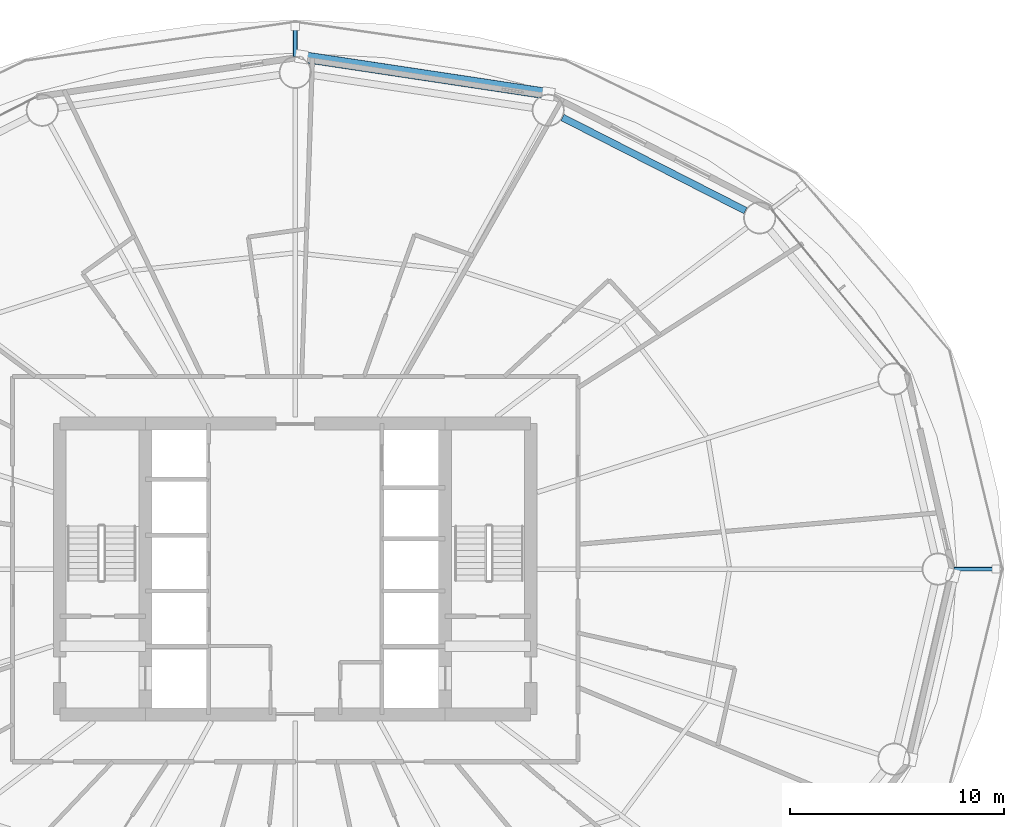
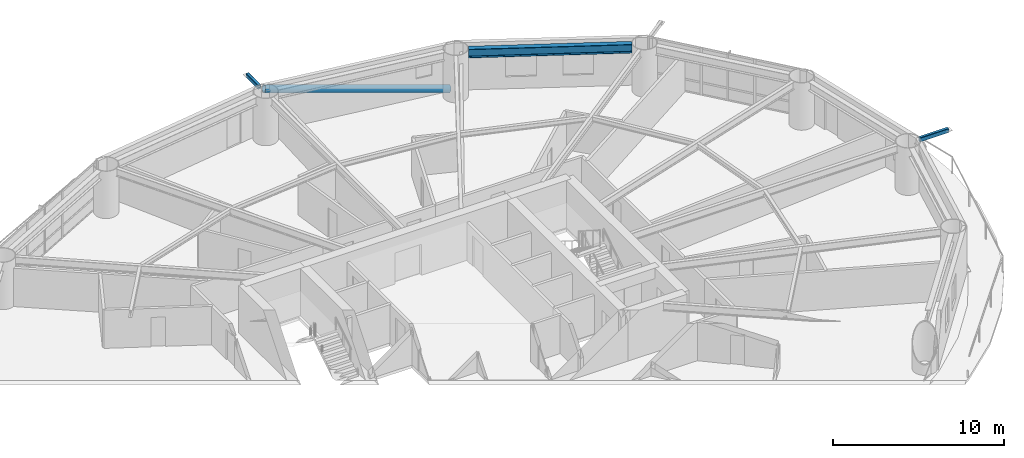
# One storey, part 15 of 28: 3 members, 1 beam.
"""IFC4 building model written with IfcOpenShell, lengths in metres."""

import ifcopenshell
import ifcopenshell.guid

model = None  # the IFC model being written
_history = None  # IfcOwnerHistory: only IFC2X3 demands one
_inside = {}  # id of a spatial element -> (the spatial element, [elements in it])
_under = {}  # id of a project, library or spatial element -> (it, [spatial elements below it])
_declared = {}  # id of a project -> (the project, [libraries it declares])
_typed = {}  # id of a type object -> (the type object, [elements of that type])
_made_of = {}  # id of a material, layer set ... -> (it, [elements and type objects made of it])


def new_model(schema):
    """Start an empty IFC model of exactly this schema.

    Asked for "IFC4X3", IfcOpenShell would pick the latest addendum, in which some entities
    have other attributes; the version numbers below select the first issue.
    IFC2X3 requires an IfcOwnerHistory on every rooted entity: one is made here for all.
    """
    global model, _history
    if schema == "IFC4X3":
        model = ifcopenshell.file(schema_version=(4, 3, 0, 0))
    else:
        model = ifcopenshell.file(schema=schema)
    _inside.clear()
    _under.clear()
    _declared.clear()
    _typed.clear()
    _made_of.clear()
    _history = None
    if model.schema == "IFC2X3":
        org = make("IfcOrganization", Name="unknown")
        user = make(
            "IfcPersonAndOrganization",
            ThePerson=make("IfcPerson", FamilyName="unknown"),
            TheOrganization=org,
        )
        app = make(
            "IfcApplication",
            ApplicationDeveloper=org,
            Version="unknown",
            ApplicationFullName="unknown",
            ApplicationIdentifier="unknown",
        )
        _history = make(
            "IfcOwnerHistory",
            OwningUser=user,
            OwningApplication=app,
            ChangeAction="ADDED",
            CreationDate=0,
        )
    return model


def make(cls, **values):
    """One entity of the class cls with the attributes given. An attribute that is None is left unset."""
    return model.create_entity(
        cls, **{name: value for name, value in values.items() if value is not None}
    )


def rooted(cls, **values):
    """An entity with a GlobalId (a new one), such as an element, a storey or a relation."""
    return make(cls, GlobalId=ifcopenshell.guid.new(), OwnerHistory=_history, **values)


def si_unit(unit_type, name, prefix=None):
    """IfcSIUnit, for example si_unit("LENGTHUNIT", "METRE", prefix="MILLI")."""
    return make("IfcSIUnit", UnitType=unit_type, Prefix=prefix, Name=name)


def assignment(units):
    """IfcUnitAssignment: the units of a project."""
    return None if units is None else make("IfcUnitAssignment", Units=units)


def point(xyz):
    """IfcCartesianPoint."""
    return None if xyz is None else make("IfcCartesianPoint", Coordinates=xyz)


def direction(xyz):
    """IfcDirection."""
    return None if xyz is None else make("IfcDirection", DirectionRatios=xyz)


def frame(location, z_axis=None, x_axis=None):
    """IfcAxis2Placement3D, a coordinate frame: its origin and axes. An axis left out is left unset."""
    return make(
        "IfcAxis2Placement3D",
        Location=point(location),
        Axis=direction(z_axis),
        RefDirection=direction(x_axis),
    )


def frame_2d(location, x_axis=None):
    """IfcAxis2Placement2D, a coordinate frame in the plane: its origin and x axis."""
    return make(
        "IfcAxis2Placement2D", Location=point(location), RefDirection=direction(x_axis)
    )


def origin():
    """The frame at (0, 0, 0) with its axes left unset."""
    return frame((0.0, 0.0, 0.0))


def origin_2d():
    """The frame at (0, 0) in the plane with its x axis left unset."""
    return frame_2d((0.0, 0.0))


def place(relative_to, where):
    """IfcLocalPlacement: puts the frame where relative to a parent placement (None: the world)."""
    return make(
        "IfcLocalPlacement", PlacementRelTo=relative_to, RelativePlacement=where
    )


def context(
    kind, dimensions, precision=None, world=None, true_north=None, identifier=None
):
    """IfcGeometricRepresentationContext, for example the 3D "Model" context."""
    return make(
        "IfcGeometricRepresentationContext",
        ContextIdentifier=identifier,
        ContextType=kind,
        CoordinateSpaceDimension=dimensions,
        Precision=precision,
        WorldCoordinateSystem=world,
        TrueNorth=true_north,
    )


def subcontext(parent, identifier, kind, view, scale=None):
    """IfcGeometricRepresentationSubContext, for example "Body" below "Model"."""
    return make(
        "IfcGeometricRepresentationSubContext",
        ContextIdentifier=identifier,
        ContextType=kind,
        ParentContext=parent,
        TargetScale=scale,
        TargetView=view,
    )


def project(units=None, contexts=None):
    """IfcProject with its units and contexts."""
    return rooted(
        "IfcProject",
        Name="project",
        RepresentationContexts=contexts,
        UnitsInContext=assignment(units),
    )


def spatial(cls, under=None, at=None, **own):
    """A site, building, storey or space (cls), placed at a placement, below another one or the project."""
    s = rooted(cls, ObjectPlacement=at, **own)
    if under is not None:
        _under.setdefault(under.id(), (under, []))[1].append(s)
    return s


def profile(cls, at=None, kind="AREA", **sizes):
    """A parametric profile (cls). Its sizes go by their IFC names, for example OverallWidth=200.0."""
    return make(cls, ProfileType=kind, Position=at, **sizes)


def hollow_rectangle(**sizes):
    """IfcRectangleHollowProfileDef."""
    return profile("IfcRectangleHollowProfileDef", **sizes)


def hollow_circle(**sizes):
    """IfcCircleHollowProfileDef."""
    return profile("IfcCircleHollowProfileDef", **sizes)


def i_section(**sizes):
    """IfcIShapeProfileDef."""
    return profile("IfcIShapeProfileDef", **sizes)


def extrude(swept, where, along, depth):
    """IfcExtrudedAreaSolid: the profile swept, set in the frame where, extruded along a direction by depth."""
    return make(
        "IfcExtrudedAreaSolid",
        SweptArea=swept,
        Position=where,
        ExtrudedDirection=direction(along),
        Depth=depth,
    )


def shape(context_of_items, identifier, shape_type, items):
    """IfcShapeRepresentation: the items that make up one representation, for example the "Body"."""
    return make(
        "IfcShapeRepresentation",
        ContextOfItems=context_of_items,
        RepresentationIdentifier=identifier,
        RepresentationType=shape_type,
        Items=items,
    )


def material(Name=None, Category=None):
    """IfcMaterial."""
    return make("IfcMaterial", Name=Name, Category=Category)


def material_profile(
    of_material, cross_section, Name=None, Category=None, Priority=None
):
    """IfcMaterialProfile: a cross section and its material."""
    return make(
        "IfcMaterialProfile",
        Name=Name,
        Material=of_material,
        Profile=cross_section,
        Priority=Priority,
        Category=Category,
    )


def profile_set(profiles, Name=None, composite=None):
    """IfcMaterialProfileSet."""
    return make(
        "IfcMaterialProfileSet",
        Name=Name,
        MaterialProfiles=profiles,
        CompositeProfile=composite,
    )


def made_of(thing, what):
    """Note that an element or type object is made of a material, layer set ...; save() writes the relation."""
    if what is not None:
        _made_of.setdefault(what.id(), (what, []))[1].append(thing)
    return thing


def type_object(cls, material=None, **own):
    """A type object (cls), such as IfcWallType, which elements share."""
    return made_of(rooted(cls, **own), material)


def element(
    cls,
    number,
    at=None,
    inside=None,
    cuts=None,
    type_object=None,
    material=None,
    context=None,
    identifier="Body",
    shape_type=None,
    held_by="IfcProductDefinitionShape",
    body=None,
    shapes=None,
    **own,
):
    """One element of the class cls, such as IfcWall. Its Tag is "e" and its number.

    at: its placement. inside: the storey or other place that contains it. cuts: it is an
    opening in that element (IfcRelVoidsElement). A single representation is given by context,
    identifier, shape_type and body (its items); several are given by shapes. held_by: the class
    of the entity that holds the representations. save() writes the other relations.
    """
    e = rooted(cls, Tag="e%d" % number, ObjectPlacement=at, **own)
    if body is not None:
        shapes = [shape(context, identifier, shape_type, body)]
    if shapes is not None:
        e.Representation = make(held_by, Representations=shapes)
    if inside is not None:
        _inside.setdefault(inside.id(), (inside, []))[1].append(e)
    if cuts is not None:
        rooted(
            "IfcRelVoidsElement", RelatingBuildingElement=cuts, RelatedOpeningElement=e
        )
    if type_object is not None:
        _typed.setdefault(type_object.id(), (type_object, []))[1].append(e)
    return made_of(e, material)


def aggregate(whole, parts):
    """IfcRelAggregates: a whole, such as a stair, and the parts it consists of."""
    return rooted("IfcRelAggregates", RelatingObject=whole, RelatedObjects=parts)


def save(model, path):
    """Write the relations noted so far, then the file.

    IfcRelAggregates (storeys below a building ...), IfcRelContainedInSpatialStructure (elements
    in a storey), IfcRelDefinesByType, IfcRelAssociatesMaterial and IfcRelDeclares: one each for
    every whole, place, type object, material and project.
    """
    for whole, parts in _under.values():
        aggregate(whole, parts)
    for where, things in _inside.values():
        rooted(
            "IfcRelContainedInSpatialStructure",
            RelatedElements=things,
            RelatingStructure=where,
        )
    for kind, things in _typed.values():
        rooted("IfcRelDefinesByType", RelatedObjects=things, RelatingType=kind)
    for what, things in _made_of.values():
        rooted("IfcRelAssociatesMaterial", RelatedObjects=things, RelatingMaterial=what)
    for by, libraries in _declared.values():
        rooted("IfcRelDeclares", RelatingContext=by, RelatedDefinitions=libraries)
    model.write(path)


model = new_model("IFC4")

# Units and contexts
model_context = context("Model", 3, precision=1e-05, world=origin(), true_north=direction((0.0, 1.0)))
body_context = subcontext(model_context, "Body", "Model", "MODEL_VIEW")
ifc_project = project(units=[si_unit("LENGTHUNIT", "METRE"), si_unit("AREAUNIT", "SQUARE_METRE"), si_unit("VOLUMEUNIT", "CUBIC_METRE"), si_unit("PLANEANGLEUNIT", "RADIAN"), si_unit("MASSUNIT", "GRAM", prefix="KILO")], contexts=[model_context])

# Site, building, storey
site_placement = place(None, origin())
site = spatial("IfcSite", under=ifc_project, at=site_placement, CompositionType="ELEMENT")
building_placement = place(site_placement, origin())
building = spatial("IfcBuilding", under=site, at=building_placement, Name="Sarneth Arch Tower", CompositionType="ELEMENT")
storey_placement = place(building_placement, frame((0.0, 0.0, 31.800048828125)))
storey = spatial("IfcBuildingStorey", under=building, at=storey_placement, Name="L06", CompositionType="ELEMENT", Elevation=31.800048828125)

# Beam
ifc_material_1 = material(Name="Steel S355", Category="steel")
ifc_material_profile_1 = material_profile(ifc_material_1, i_section(OverallWidth=0.326904296875, OverallDepth=0.6220703125, WebThickness=0.015380859375, FlangeThickness=0.0244140625, FilletRadius=0.01904296875, at=origin_2d()), Name="W610x195")
ifc_profile_set_1 = profile_set([ifc_material_profile_1], Name="Steel S355")
beam_type = type_object("IfcBeamType", Name="BM-SPAN-610A", PredefinedType="SPANDREL", material=ifc_profile_set_1)
beam_placement = place(storey_placement, frame((69.0283203125, 58.7451171875, 3.06884765625), z_axis=(-0.891169106887, 0.453671271882, 0.0), x_axis=(-0.453671271882, -0.891169106887, 0.0)))
element("IfcBeam", 1, at=beam_placement, inside=storey, type_object=beam_type, Name="L06 Perimeter spandrel beam 03", PredefinedType="SPANDREL", context=body_context, shape_type="SweptSolid", body=[
    extrude(i_section(OverallWidth=0.326904296875, OverallDepth=0.6220703125, WebThickness=0.015380859375, FlangeThickness=0.0244140625, FilletRadius=0.01904296875, at=origin_2d()), origin(), (0.0, 0.0, 1.0), 9.58544921875),
])

# Members
ifc_material_2 = material(Name="Steel S355", Category="steel")
ifc_material_profile_2 = material_profile(ifc_material_2, hollow_rectangle(XDim=0.199951171875, YDim=0.300048828125, WallThickness=0.012451171875, InnerFilletRadius=0.018798828125, OuterFilletRadius=0.03125, at=origin_2d()), Name="RHS300x200x12.5")
ifc_profile_set_2 = profile_set([ifc_material_profile_2], Name="Steel S355")
member_type_1 = type_object("IfcMemberType", Name="MEM-CANT-STRUT", PredefinedType="STRUT", material=ifc_profile_set_2)
member_1_placement = place(storey_placement, frame((78.784912109375, 42.0, 3.219970703125), z_axis=(1.0, 0.0, 0.0), x_axis=(0.0, 1.0, 0.0)))
element("IfcMember", 2, at=member_1_placement, inside=storey, type_object=member_type_1, Name="L06 Balcony cantilever bracket 01", PredefinedType="STRUT", context=body_context, shape_type="SweptSolid", body=[
    extrude(hollow_rectangle(XDim=0.199951171875, YDim=0.300048828125, WallThickness=0.012451171875, InnerFilletRadius=0.018798828125, OuterFilletRadius=0.03125, at=origin_2d()), origin(), (0.0, 0.0, 1.0), 1.94921875),
])
member_2_placement = place(storey_placement, frame((48.0, 65.949951171875, 3.219970703125), z_axis=(0.0, 1.0, 0.0), x_axis=(-1.0, 0.0, 0.0)))
element("IfcMember", 3, at=member_2_placement, inside=storey, type_object=member_type_1, Name="L06 Balcony cantilever bracket 05", PredefinedType="STRUT", context=body_context, shape_type="SweptSolid", body=[
    extrude(hollow_rectangle(XDim=0.199951171875, YDim=0.300048828125, WallThickness=0.012451171875, InnerFilletRadius=0.018798828125, OuterFilletRadius=0.03125, at=origin_2d()), origin(), (0.0, 0.0, 1.0), 1.400634765625),
])
ifc_material_3 = material(Name="Steel S355", Category="steel")
ifc_material_profile_3 = material_profile(ifc_material_3, hollow_circle(Radius=0.25390625, WallThickness=0.01611328125, at=origin_2d()), Name="CHS508x16")
ifc_profile_set_3 = profile_set([ifc_material_profile_3], Name="Steel S355")
member_type_2 = type_object("IfcMemberType", Name="MEM-DIAG-BR1", PredefinedType="BRACE", material=ifc_profile_set_3)
member_3_placement = place(storey_placement, frame((59.819580078125, 64.19921875, 0.02001953125), z_axis=(-0.957875899759, 0.144316613483, 0.248287083301), x_axis=(-0.1489817545, -0.988839944999, 0.0)))
element("IfcMember", 4, at=member_3_placement, inside=storey, type_object=member_type_2, Name="L06 Perimeter frame diagonal 04", PredefinedType="BRACE", context=body_context, shape_type="SweptSolid", body=[
    extrude(hollow_circle(Radius=0.25390625, WallThickness=0.01611328125, at=origin_2d()), origin(), (0.0, 0.0, 1.0), 12.02978515625),
])

save(model, "model.ifc")
